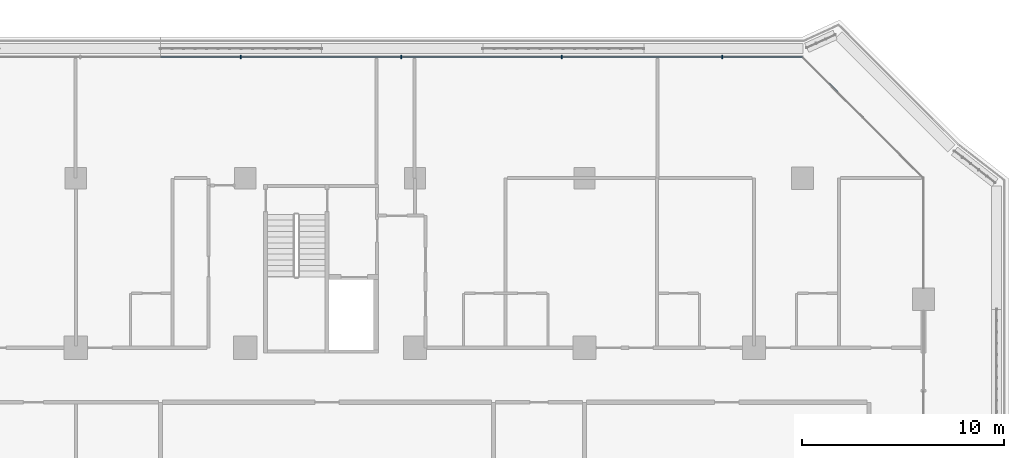
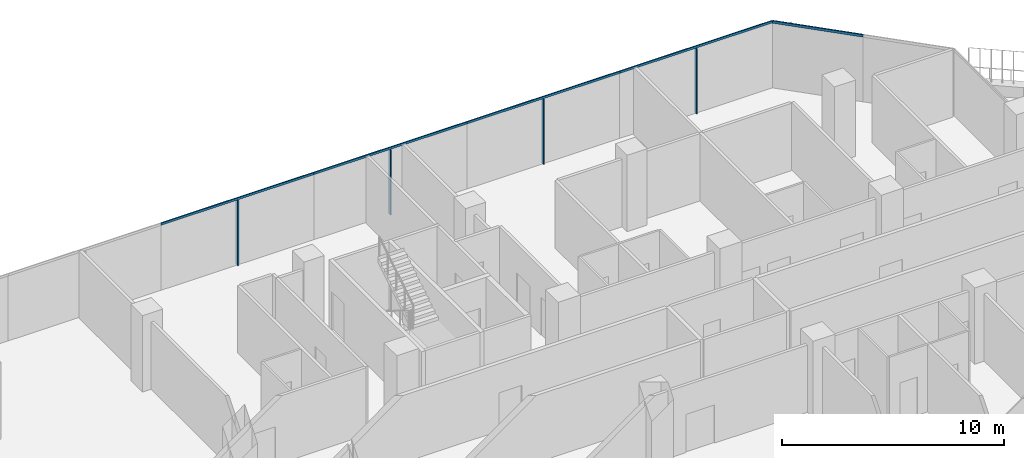
# One storey, part 8 of 23: 9 members, 2 elements without a shape of their own.
"""IFC4 building model written with IfcOpenShell, lengths in metres."""

from ifc_helpers import new_model, si_unit, direction, frame, origin, origin_2d, place, context, subcontext, project, spatial, rectangle, extrude, material, layer, layer_set, material_profile, profile_set, type_object, element, aggregate, save


model = new_model("IFC4")

# Units and contexts
model_context = context("Model", 3, precision=1e-05, world=origin(), true_north=direction((0.0, 1.0)))
body_context = subcontext(model_context, "Body", "Model", "MODEL_VIEW")
ifc_project = project(units=[si_unit("LENGTHUNIT", "METRE"), si_unit("AREAUNIT", "SQUARE_METRE"), si_unit("VOLUMEUNIT", "CUBIC_METRE"), si_unit("PLANEANGLEUNIT", "RADIAN"), si_unit("MASSUNIT", "GRAM", prefix="KILO")], contexts=[model_context])

# Site, building, storey
site_placement = place(None, origin())
site = spatial("IfcSite", under=ifc_project, at=site_placement, CompositionType="ELEMENT")
building_placement = place(site_placement, origin())
building = spatial("IfcBuilding", under=site, at=building_placement, Name="Kawkab Arch Medical Tower", CompositionType="ELEMENT")
storey_placement = place(building_placement, frame((0.0, 0.0, 149.199951171875)))
storey = spatial("IfcBuildingStorey", under=building, at=storey_placement, Name="L34", CompositionType="ELEMENT", Elevation=149.199951171875)

# Curtain wall, members
ifc_material_1 = material(Name="Bronze anodised aluminium curtain wall frame", Category="aluminium")
ifc_layer_1 = layer(ifc_material_1, 0.159912109375)
ifc_layer_set_1 = layer_set([ifc_layer_1], Name="Bronze anodised aluminium curtain wall frame")
curtain_wall_type_1 = type_object("IfcCurtainWallType", Name="CW1 ward curtain wall", PredefinedType="NOTDEFINED", material=ifc_layer_set_1)
placement = place(storey_placement, origin())
curtain_wall_1 = element("IfcCurtainWall", 1, at=placement, inside=storey, type_object=curtain_wall_type_1, Name="CW1 Ward curtain wall R11", PredefinedType="NOTDEFINED")
ifc_material_2 = material(Name="Bronze anodised aluminium curtain wall frame", Category="aluminium")
ifc_material_profile_1 = material_profile(ifc_material_2, rectangle(XDim=0.179931640625, YDim=0.06005859375, at=origin_2d()), Name="AL 60x180")
ifc_profile_set_1 = profile_set([ifc_material_profile_1], Name="Bronze anodised aluminium curtain wall frame")
member_type_1 = type_object("IfcMemberType", Name="CW1 mullion 60 x 180", PredefinedType="MULLION", material=ifc_profile_set_1)
member_1_placement = place(storey_placement, frame((65.625, 6.0, 0.0), z_axis=(0.0, 0.0, 1.0), x_axis=(0.0, -1.0, 0.0)))
member_1 = element("IfcMember", 2, at=member_1_placement, type_object=member_type_1, Name="CW1 mullion 1.1", PredefinedType="MULLION", context=body_context, shape_type="SweptSolid", body=[
    extrude(rectangle(XDim=0.179931640625, YDim=0.06005859375, at=origin_2d()), origin(), (0.0, 0.0, 1.0), 3.580078125),
])
member_2_placement = place(storey_placement, frame((57.675048828125, 6.0, 0.0), z_axis=(0.0, 0.0, 1.0), x_axis=(0.0, -1.0, 0.0)))
member_2 = element("IfcMember", 3, at=member_2_placement, type_object=member_type_1, Name="CW1 mullion 2.1", PredefinedType="MULLION", context=body_context, shape_type="SweptSolid", body=[
    extrude(rectangle(XDim=0.179931640625, YDim=0.06005859375, at=origin_2d()), origin(), (0.0, 0.0, 1.0), 3.580078125),
])
member_3_placement = place(storey_placement, frame((49.72509765625, 6.0, 0.0), z_axis=(0.0, 0.0, 1.0), x_axis=(0.0, -1.0, 0.0)))
member_3 = element("IfcMember", 4, at=member_3_placement, type_object=member_type_1, Name="CW1 mullion 3.1", PredefinedType="MULLION", context=body_context, shape_type="SweptSolid", body=[
    extrude(rectangle(XDim=0.179931640625, YDim=0.06005859375, at=origin_2d()), origin(), (0.0, 0.0, 1.0), 3.580078125),
])
member_4_placement = place(storey_placement, frame((41.77490234375, 6.0, 0.0), z_axis=(0.0, 0.0, 1.0), x_axis=(0.0, -1.0, 0.0)))
member_4 = element("IfcMember", 5, at=member_4_placement, type_object=member_type_1, Name="CW1 mullion 4.1", PredefinedType="MULLION", context=body_context, shape_type="SweptSolid", body=[
    extrude(rectangle(XDim=0.179931640625, YDim=0.06005859375, at=origin_2d()), origin(), (0.0, 0.0, 1.0), 3.580078125),
])
ifc_material_3 = material(Name="Bronze anodised aluminium curtain wall frame", Category="aluminium")
ifc_material_profile_2 = material_profile(ifc_material_3, rectangle(XDim=0.06005859375, YDim=0.1201171875, at=origin_2d()), Name="AL 60x120")
ifc_profile_set_2 = profile_set([ifc_material_profile_2], Name="Bronze anodised aluminium curtain wall frame")
member_type_2 = type_object("IfcMemberType", Name="CW1 transom 120 x 60", PredefinedType="USERDEFINED", material=ifc_profile_set_2)
member_5_placement = place(storey_placement, frame((69.60009765625, 6.0, 3.64013671875), z_axis=(-1.0, 0.0, 0.0), x_axis=(0.0, -1.0, 0.0)))
member_5 = element("IfcMember", 6, at=member_5_placement, type_object=member_type_2, Name="CW1 transom 1", ObjectType="TRANSOM", PredefinedType="USERDEFINED", context=body_context, shape_type="SweptSolid", body=[
    extrude(rectangle(XDim=0.06005859375, YDim=0.1201171875, at=origin_2d()), origin(), (0.0, 0.0, 1.0), 7.9501953125),
])
member_6_placement = place(storey_placement, frame((61.64990234375, 6.0, 3.64013671875), z_axis=(-1.0, 0.0, 0.0), x_axis=(0.0, -1.0, 0.0)))
member_6 = element("IfcMember", 7, at=member_6_placement, type_object=member_type_2, Name="CW1 transom 2", ObjectType="TRANSOM", PredefinedType="USERDEFINED", context=body_context, shape_type="SweptSolid", body=[
    extrude(rectangle(XDim=0.06005859375, YDim=0.1201171875, at=origin_2d()), origin(), (0.0, 0.0, 1.0), 7.949951171875),
])
member_7_placement = place(storey_placement, frame((53.699951171875, 6.0, 3.64013671875), z_axis=(-1.0, 0.0, 0.0), x_axis=(0.0, -1.0, 0.0)))
member_7 = element("IfcMember", 8, at=member_7_placement, type_object=member_type_2, Name="CW1 transom 3", ObjectType="TRANSOM", PredefinedType="USERDEFINED", context=body_context, shape_type="SweptSolid", body=[
    extrude(rectangle(XDim=0.06005859375, YDim=0.1201171875, at=origin_2d()), origin(), (0.0, 0.0, 1.0), 7.949951171875),
])
member_8_placement = place(storey_placement, frame((45.75, 6.0, 3.64013671875), z_axis=(-1.0, 0.0, 0.0), x_axis=(0.0, -1.0, 0.0)))
member_8 = element("IfcMember", 9, at=member_8_placement, type_object=member_type_2, Name="CW1 transom 4", ObjectType="TRANSOM", PredefinedType="USERDEFINED", context=body_context, shape_type="SweptSolid", body=[
    extrude(rectangle(XDim=0.06005859375, YDim=0.1201171875, at=origin_2d()), origin(), (0.0, 0.0, 1.0), 7.949951171875),
])
aggregate(curtain_wall_1, [member_5, member_1, member_6, member_2, member_7, member_3, member_8, member_4])

# Curtain wall, member
ifc_material_4 = material(Name="Bronze anodised aluminium curtain wall frame", Category="aluminium")
ifc_layer_2 = layer(ifc_material_4, 0.159912109375)
ifc_layer_set_2 = layer_set([ifc_layer_2], Name="Bronze anodised aluminium curtain wall frame")
curtain_wall_type_2 = type_object("IfcCurtainWallType", Name="CW2 chamfer curtain wall", PredefinedType="NOTDEFINED", material=ifc_layer_set_2)
curtain_wall_2 = element("IfcCurtainWall", 10, at=placement, inside=storey, type_object=curtain_wall_type_2, Name="CW2 Chamfer curtain wall R10", PredefinedType="NOTDEFINED")
ifc_material_5 = material(Name="Bronze anodised aluminium curtain wall frame", Category="aluminium")
ifc_material_profile_3 = material_profile(ifc_material_5, rectangle(XDim=0.06005859375, YDim=0.139892578125, at=origin_2d()), Name="AL 60x140")
ifc_profile_set_3 = profile_set([ifc_material_profile_3], Name="Bronze anodised aluminium curtain wall frame")
member_type_3 = type_object("IfcMemberType", Name="CW2 transom 140 x 60", PredefinedType="USERDEFINED", material=ifc_profile_set_3)
member_9_placement = place(storey_placement, frame((72.60009765625, 3.0, 3.630126953125), z_axis=(-0.707106781187, 0.707106781187, 0.0), x_axis=(-0.707106781187, -0.707106781187, 0.0)))
member_9 = element("IfcMember", 11, at=member_9_placement, type_object=member_type_3, Name="CW2 transom 2", ObjectType="TRANSOM", PredefinedType="USERDEFINED", context=body_context, shape_type="SweptSolid", body=[
    extrude(rectangle(XDim=0.06005859375, YDim=0.139892578125, at=origin_2d()), origin(), (0.0, 0.0, 1.0), 4.24267578125),
])
aggregate(curtain_wall_2, [member_9])

save(model, "model.ifc")
